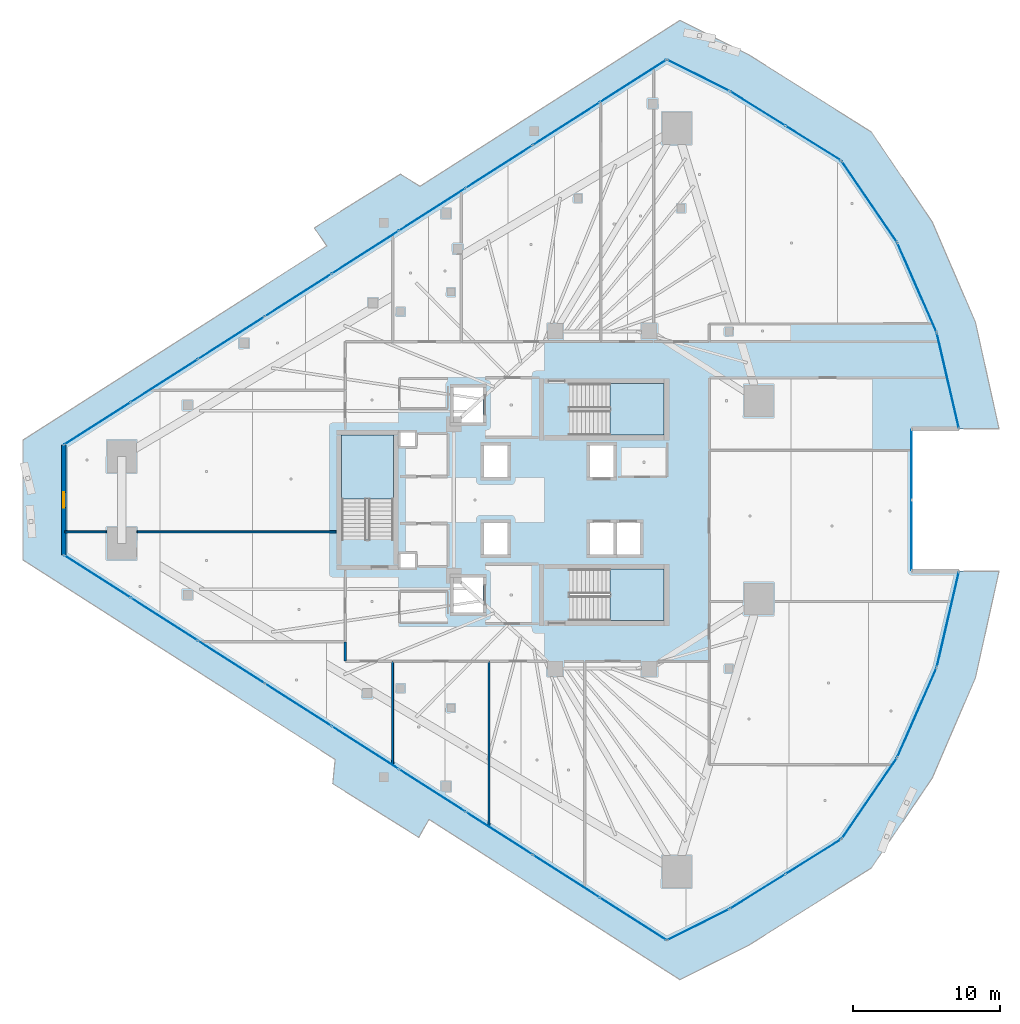
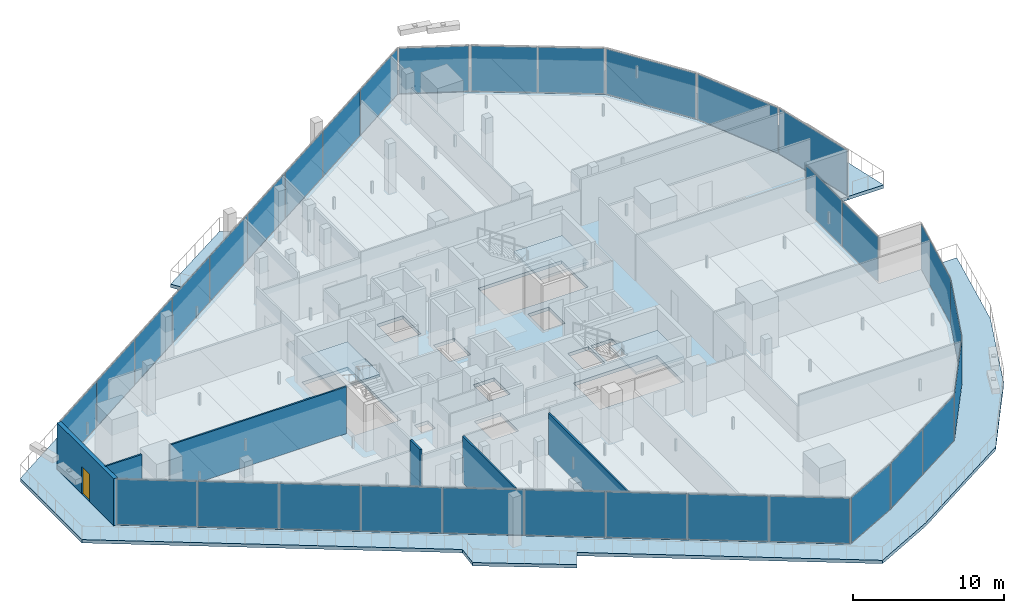
# One storey, part 24 of 39: 32 plates, 6 walls, 5 slabs, 1 door, 1 opening, 16 elements without a shape of their own.
"""IFC4 building model written with IfcOpenShell, lengths in metres."""

from ifc_helpers import new_model, si_unit, direction, frame, frame_2d, origin, origin_2d, place, context, subcontext, project, spatial, polyline, rectangle, outline, extrude, material, layer, layer_set, type_object, element, fill, aggregate, save


model = new_model("IFC4")

# Units and contexts
model_context = context("Model", 3, precision=1e-05, world=origin(), true_north=direction((0.0, 1.0)))
body_context = subcontext(model_context, "Body", "Model", "MODEL_VIEW")
ifc_project = project(units=[si_unit("LENGTHUNIT", "METRE"), si_unit("AREAUNIT", "SQUARE_METRE"), si_unit("VOLUMEUNIT", "CUBIC_METRE"), si_unit("PLANEANGLEUNIT", "RADIAN"), si_unit("MASSUNIT", "GRAM", prefix="KILO")], contexts=[model_context])

# Site, building, storey
site_placement = place(None, origin())
site = spatial("IfcSite", under=ifc_project, at=site_placement, CompositionType="ELEMENT")
building_placement = place(site_placement, origin())
building = spatial("IfcBuilding", under=site, at=building_placement, Name="Qorvath Tower", CompositionType="ELEMENT")
storey_placement = place(building_placement, frame((0.0, 0.0, 142.199951171875)))
storey = spatial("IfcBuildingStorey", under=building, at=storey_placement, Name="L32", CompositionType="ELEMENT", Elevation=142.199951171875)

# Curtain wall, plates
ifc_material_1 = material(Name="Anodised aluminium and triple low-E glass", Category="aluminium")
ifc_layer_1 = layer(ifc_material_1, 0.179931640625)
ifc_layer_set_1 = layer_set([ifc_layer_1], Name="CW-SYS-3")
curtain_wall_type = type_object("IfcCurtainWallType", Name="CW-SYS-3", PredefinedType="NOTDEFINED", material=ifc_layer_set_1)
curtain_wall_1_placement = place(storey_placement, origin())
curtain_wall_1 = element("IfcCurtainWall", 1, at=curtain_wall_1_placement, inside=storey, type_object=curtain_wall_type, Name="Curtain Wall CW-3 CW-T-L32-2.1", PredefinedType="NOTDEFINED")
ifc_material_2 = material(Name="Low-E triple insulated glass", Category="glass")
ifc_layer_2 = layer(ifc_material_2, 0.031982421875)
ifc_layer_set_2 = layer_set([ifc_layer_2], Name="CWP-GLZ-32")
plate_type = type_object("IfcPlateType", Name="CWP-GLZ-32", PredefinedType="CURTAIN_PANEL", material=ifc_layer_set_2)
plate_1_placement = place(storey_placement, frame((-54.696044921875, -5.20263671875, 0.065185546875), z_axis=(0.0, 0.0, 1.0), x_axis=(0.842604438967, -0.53853296968, 0.0)))
plate_1 = element("IfcPlate", 2, at=plate_1_placement, type_object=plate_type, Name="CW-3 panel 1.1", PredefinedType="CURTAIN_PANEL", context=body_context, shape_type="SweptSolid", body=[
    extrude(rectangle(XDim=5.303466796875, YDim=0.031982421875, at=origin_2d()), origin(), (0.0, 0.0, 1.0), 3.64990234375),
])
plate_2_placement = place(storey_placement, frame((-50.158935546875, -8.102294921875, 0.065185546875), z_axis=(0.0, 0.0, 1.0), x_axis=(0.842604438967, -0.53853296968, 0.0)))
plate_2 = element("IfcPlate", 3, at=plate_2_placement, type_object=plate_type, Name="CW-3 panel 2.1", PredefinedType="CURTAIN_PANEL", context=body_context, shape_type="SweptSolid", body=[
    extrude(rectangle(XDim=5.3359375, YDim=0.031982421875, at=origin_2d()), origin(), (0.0, 0.0, 1.0), 3.64990234375),
])
plate_3_placement = place(storey_placement, frame((-45.608154296875, -11.010986328125, 0.065185546875), z_axis=(0.0, 0.0, 1.0), x_axis=(0.842604438967, -0.53853296968, 0.0)))
plate_3 = element("IfcPlate", 4, at=plate_3_placement, type_object=plate_type, Name="CW-3 panel 3.1", PredefinedType="CURTAIN_PANEL", context=body_context, shape_type="SweptSolid", body=[
    extrude(rectangle(XDim=5.3359375, YDim=0.031982421875, at=origin_2d()), origin(), (0.0, 0.0, 1.0), 3.64990234375),
])
plate_4_placement = place(storey_placement, frame((-41.057373046875, -13.91943359375, 0.065185546875), z_axis=(0.0, 0.0, 1.0), x_axis=(0.842604438967, -0.53853296968, 0.0)))
plate_4 = element("IfcPlate", 5, at=plate_4_placement, type_object=plate_type, Name="CW-3 panel 4.1", PredefinedType="CURTAIN_PANEL", context=body_context, shape_type="SweptSolid", body=[
    extrude(rectangle(XDim=5.3359375, YDim=0.031982421875, at=origin_2d()), origin(), (0.0, 0.0, 1.0), 3.64990234375),
])
plate_5_placement = place(storey_placement, frame((-36.50634765625, -16.827880859375, 0.065185546875), z_axis=(0.0, 0.0, 1.0), x_axis=(0.842604438967, -0.53853296968, 0.0)))
plate_5 = element("IfcPlate", 6, at=plate_5_placement, type_object=plate_type, Name="CW-3 panel 5.1", PredefinedType="CURTAIN_PANEL", context=body_context, shape_type="SweptSolid", body=[
    extrude(rectangle(XDim=5.3359375, YDim=0.031982421875, at=origin_2d()), origin(), (0.0, 0.0, 1.0), 3.64990234375),
])
plate_6_placement = place(storey_placement, frame((-31.95556640625, -19.736572265625, 0.065185546875), z_axis=(0.0, 0.0, 1.0), x_axis=(0.842604438967, -0.53853296968, 0.0)))
plate_6 = element("IfcPlate", 7, at=plate_6_placement, type_object=plate_type, Name="CW-3 panel 6.1", PredefinedType="CURTAIN_PANEL", context=body_context, shape_type="SweptSolid", body=[
    extrude(rectangle(XDim=5.3359375, YDim=0.031982421875, at=origin_2d()), origin(), (0.0, 0.0, 1.0), 3.64990234375),
])
plate_7_placement = place(storey_placement, frame((-27.40478515625, -22.64501953125, 0.065185546875), z_axis=(0.0, 0.0, 1.0), x_axis=(0.842604438967, -0.53853296968, 0.0)))
plate_7 = element("IfcPlate", 8, at=plate_7_placement, type_object=plate_type, Name="CW-3 panel 7.1", PredefinedType="CURTAIN_PANEL", context=body_context, shape_type="SweptSolid", body=[
    extrude(rectangle(XDim=5.3359375, YDim=0.031982421875, at=origin_2d()), origin(), (0.0, 0.0, 1.0), 3.64990234375),
])
plate_8_placement = place(storey_placement, frame((-22.85400390625, -25.5537109375, 0.065185546875), z_axis=(0.0, 0.0, 1.0), x_axis=(0.842604438967, -0.53853296968, 0.0)))
plate_8 = element("IfcPlate", 9, at=plate_8_placement, type_object=plate_type, Name="CW-3 panel 8.1", PredefinedType="CURTAIN_PANEL", context=body_context, shape_type="SweptSolid", body=[
    extrude(rectangle(XDim=5.3359375, YDim=0.031982421875, at=origin_2d()), origin(), (0.0, 0.0, 1.0), 3.64990234375),
])
plate_9_placement = place(storey_placement, frame((-18.31689453125, -28.453369140625, 0.065185546875), z_axis=(0.0, 0.0, 1.0), x_axis=(0.842604438967, -0.53853296968, 0.0)))
plate_9 = element("IfcPlate", 10, at=plate_9_placement, type_object=plate_type, Name="CW-3 panel 9.1", PredefinedType="CURTAIN_PANEL", context=body_context, shape_type="SweptSolid", body=[
    extrude(rectangle(XDim=5.303466796875, YDim=0.031982421875, at=origin_2d()), origin(), (0.0, 0.0, 1.0), 3.64990234375),
])
aggregate(curtain_wall_1, [plate_1, plate_2, plate_3, plate_4, plate_5, plate_6, plate_7, plate_8, plate_9])

# Curtain wall, plate
curtain_wall_2_placement = place(storey_placement, origin())
curtain_wall_2 = element("IfcCurtainWall", 11, at=curtain_wall_2_placement, inside=storey, type_object=curtain_wall_type, Name="Curtain Wall CW-3 CW-T-L32-3.1", PredefinedType="NOTDEFINED")
plate_10_placement = place(storey_placement, frame((-13.890869140625, -28.84814453125, 0.065185546875), z_axis=(0.0, 0.0, 1.0), x_axis=(0.89444811817, 0.447171738712, 0.0)))
plate_10 = element("IfcPlate", 12, at=plate_10_placement, type_object=plate_type, Name="CW-3 panel 1.1", PredefinedType="CURTAIN_PANEL", context=body_context, shape_type="SweptSolid", body=[
    extrude(rectangle(XDim=4.648193359375, YDim=0.031982421875, at=origin_2d()), origin(), (0.0, 0.0, 1.0), 3.64990234375),
])
aggregate(curtain_wall_2, [plate_10])

# Curtain wall, plates
curtain_wall_3_placement = place(storey_placement, origin())
curtain_wall_3 = element("IfcCurtainWall", 13, at=curtain_wall_3_placement, inside=storey, type_object=curtain_wall_type, Name="Curtain Wall CW-3 CW-T-L32-4.1", PredefinedType="NOTDEFINED")
plate_11_placement = place(storey_placement, frame((-9.841796875, -26.58642578125, 0.065185546875), z_axis=(0.0, 0.0, 1.0), x_axis=(0.848346461563, 0.529441480387, 0.0)))
plate_11 = element("IfcPlate", 14, at=plate_11_placement, type_object=plate_type, Name="CW-3 panel 1.1", PredefinedType="CURTAIN_PANEL", context=body_context, shape_type="SweptSolid", body=[
    extrude(rectangle(XDim=4.3779296875, YDim=0.031982421875, at=origin_2d()), origin(), (0.0, 0.0, 1.0), 3.64990234375),
])
plate_12_placement = place(storey_placement, frame((-6.072509765625, -24.234130859375, 0.065185546875), z_axis=(0.0, 0.0, 1.0), x_axis=(0.848346461563, 0.529441480387, 0.0)))
plate_12 = element("IfcPlate", 15, at=plate_12_placement, type_object=plate_type, Name="CW-3 panel 2.1", PredefinedType="CURTAIN_PANEL", context=body_context, shape_type="SweptSolid", body=[
    extrude(rectangle(XDim=4.3779296875, YDim=0.031982421875, at=origin_2d()), origin(), (0.0, 0.0, 1.0), 3.64990234375),
])
aggregate(curtain_wall_3, [plate_11, plate_12])

# Curtain wall, plate
curtain_wall_4_placement = place(storey_placement, origin())
curtain_wall_4 = element("IfcCurtainWall", 16, at=curtain_wall_4_placement, inside=storey, type_object=curtain_wall_type, Name="Curtain Wall CW-3 CW-T-L32-5.1", PredefinedType="NOTDEFINED")
plate_13_placement = place(storey_placement, frame((-2.269287109375, -20.273681640625, 0.065185546875), z_axis=(0.0, 0.0, 1.0), x_axis=(0.564241013294, 0.825610125251, 0.0)))
plate_13 = element("IfcPlate", 17, at=plate_13_placement, type_object=plate_type, Name="CW-3 panel 1.1", PredefinedType="CURTAIN_PANEL", context=body_context, shape_type="SweptSolid", body=[
    extrude(rectangle(XDim=6.5732421875, YDim=0.031982421875, at=origin_2d()), origin(), (0.0, 0.0, 1.0), 3.64990234375),
])
aggregate(curtain_wall_4, [plate_13])

curtain_wall_5_placement = place(storey_placement, origin())
curtain_wall_5 = element("IfcCurtainWall", 18, at=curtain_wall_5_placement, inside=storey, type_object=curtain_wall_type, Name="Curtain Wall CW-3 CW-T-L32-6.1", PredefinedType="NOTDEFINED")
plate_14_placement = place(storey_placement, frame((0.968505859375, -14.437744140625, 0.065185546875), z_axis=(0.0, 0.0, 1.0), x_axis=(0.401853994762, 0.915703754985, 0.0)))
plate_14 = element("IfcPlate", 19, at=plate_14_placement, type_object=plate_type, Name="CW-3 panel 1.1", PredefinedType="CURTAIN_PANEL", context=body_context, shape_type="SweptSolid", body=[
    extrude(rectangle(XDim=6.572998046875, YDim=0.031982421875, at=origin_2d()), origin(), (0.0, 0.0, 1.0), 3.64990234375),
])
aggregate(curtain_wall_5, [plate_14])

curtain_wall_6_placement = place(storey_placement, origin())
curtain_wall_6 = element("IfcCurtainWall", 20, at=curtain_wall_6_placement, inside=storey, type_object=curtain_wall_type, Name="Curtain Wall CW-3 CW-T-L32-7.1", PredefinedType="NOTDEFINED")
plate_15_placement = place(storey_placement, frame((3.0712890625, -8.103515625, 0.065185546875), z_axis=(0.0, 0.0, 1.0), x_axis=(0.225526270485, 0.974237086813, 0.0)))
plate_15 = element("IfcPlate", 21, at=plate_15_placement, type_object=plate_type, Name="CW-3 panel 1.1", PredefinedType="CURTAIN_PANEL", context=body_context, shape_type="SweptSolid", body=[
    extrude(rectangle(XDim=6.572998046875, YDim=0.031982421875, at=origin_2d()), origin(), (0.0, 0.0, 1.0), 3.64990234375),
])
aggregate(curtain_wall_6, [plate_15])

# Curtain wall, plates
curtain_wall_7_placement = place(storey_placement, origin())
curtain_wall_7 = element("IfcCurtainWall", 22, at=curtain_wall_7_placement, inside=storey, type_object=curtain_wall_type, Name="Curtain Wall CW-3 CW-T-L32-9.1", PredefinedType="NOTDEFINED")
plate_16_placement = place(storey_placement, frame((0.6015625, -2.40283203125, 0.065185546875), z_axis=(0.0, 0.0, 1.0), x_axis=(0.0, 1.0, 0.0)))
plate_16 = element("IfcPlate", 23, at=plate_16_placement, type_object=plate_type, Name="CW-3 panel 1.1", PredefinedType="CURTAIN_PANEL", context=body_context, shape_type="SweptSolid", body=[
    extrude(rectangle(XDim=4.740966796875, YDim=0.031982421875, at=origin_2d()), origin(), (0.0, 0.0, 1.0), 3.64990234375),
])
plate_17_placement = place(storey_placement, frame((0.6015625, 2.40283203125, 0.065185546875), z_axis=(0.0, 0.0, 1.0), x_axis=(0.0, 1.0, 0.0)))
plate_17 = element("IfcPlate", 24, at=plate_17_placement, type_object=plate_type, Name="CW-3 panel 2.1", PredefinedType="CURTAIN_PANEL", context=body_context, shape_type="SweptSolid", body=[
    extrude(rectangle(XDim=4.740966796875, YDim=0.031982421875, at=origin_2d()), origin(), (0.0, 0.0, 1.0), 3.64990234375),
])
aggregate(curtain_wall_7, [plate_16, plate_17])

# Curtain wall, plate
curtain_wall_8_placement = place(storey_placement, origin())
curtain_wall_8 = element("IfcCurtainWall", 25, at=curtain_wall_8_placement, inside=storey, type_object=curtain_wall_type, Name="Curtain Wall CW-3 CW-T-L32-11.1", PredefinedType="NOTDEFINED")
plate_18_placement = place(storey_placement, frame((3.0712890625, 8.103515625, 0.065185546875), z_axis=(0.0, 0.0, 1.0), x_axis=(-0.225526270485, 0.974237086813, 0.0)))
plate_18 = element("IfcPlate", 26, at=plate_18_placement, type_object=plate_type, Name="CW-3 panel 1.1", PredefinedType="CURTAIN_PANEL", context=body_context, shape_type="SweptSolid", body=[
    extrude(rectangle(XDim=6.572998046875, YDim=0.031982421875, at=origin_2d()), origin(), (0.0, 0.0, 1.0), 3.64990234375),
])
aggregate(curtain_wall_8, [plate_18])

curtain_wall_9_placement = place(storey_placement, origin())
curtain_wall_9 = element("IfcCurtainWall", 27, at=curtain_wall_9_placement, inside=storey, type_object=curtain_wall_type, Name="Curtain Wall CW-3 CW-T-L32-12.1", PredefinedType="NOTDEFINED")
plate_19_placement = place(storey_placement, frame((0.968505859375, 14.437744140625, 0.065185546875), z_axis=(0.0, 0.0, 1.0), x_axis=(-0.401853994762, 0.915703754985, 0.0)))
plate_19 = element("IfcPlate", 28, at=plate_19_placement, type_object=plate_type, Name="CW-3 panel 1.1", PredefinedType="CURTAIN_PANEL", context=body_context, shape_type="SweptSolid", body=[
    extrude(rectangle(XDim=6.572998046875, YDim=0.031982421875, at=origin_2d()), origin(), (0.0, 0.0, 1.0), 3.64990234375),
])
aggregate(curtain_wall_9, [plate_19])

curtain_wall_10_placement = place(storey_placement, origin())
curtain_wall_10 = element("IfcCurtainWall", 29, at=curtain_wall_10_placement, inside=storey, type_object=curtain_wall_type, Name="Curtain Wall CW-3 CW-T-L32-13.1", PredefinedType="NOTDEFINED")
plate_20_placement = place(storey_placement, frame((-2.269287109375, 20.273681640625, 0.065185546875), z_axis=(0.0, 0.0, 1.0), x_axis=(-0.564241013294, 0.825610125251, 0.0)))
plate_20 = element("IfcPlate", 30, at=plate_20_placement, type_object=plate_type, Name="CW-3 panel 1.1", PredefinedType="CURTAIN_PANEL", context=body_context, shape_type="SweptSolid", body=[
    extrude(rectangle(XDim=6.5732421875, YDim=0.031982421875, at=origin_2d()), origin(), (0.0, 0.0, 1.0), 3.64990234375),
])
aggregate(curtain_wall_10, [plate_20])

# Curtain wall, plates
curtain_wall_11_placement = place(storey_placement, origin())
curtain_wall_11 = element("IfcCurtainWall", 31, at=curtain_wall_11_placement, inside=storey, type_object=curtain_wall_type, Name="Curtain Wall CW-3 CW-T-L32-14.1", PredefinedType="NOTDEFINED")
plate_21_placement = place(storey_placement, frame((-6.072509765625, 24.234130859375, 0.065185546875), z_axis=(0.0, 0.0, 1.0), x_axis=(-0.848346461563, 0.529441480387, 0.0)))
plate_21 = element("IfcPlate", 32, at=plate_21_placement, type_object=plate_type, Name="CW-3 panel 1.1", PredefinedType="CURTAIN_PANEL", context=body_context, shape_type="SweptSolid", body=[
    extrude(rectangle(XDim=4.3779296875, YDim=0.031982421875, at=origin_2d()), origin(), (0.0, 0.0, 1.0), 3.64990234375),
])
plate_22_placement = place(storey_placement, frame((-9.841796875, 26.58642578125, 0.065185546875), z_axis=(0.0, 0.0, 1.0), x_axis=(-0.848346461563, 0.529441480387, 0.0)))
plate_22 = element("IfcPlate", 33, at=plate_22_placement, type_object=plate_type, Name="CW-3 panel 2.1", PredefinedType="CURTAIN_PANEL", context=body_context, shape_type="SweptSolid", body=[
    extrude(rectangle(XDim=4.3779296875, YDim=0.031982421875, at=origin_2d()), origin(), (0.0, 0.0, 1.0), 3.64990234375),
])
aggregate(curtain_wall_11, [plate_21, plate_22])

# Curtain wall, plate
curtain_wall_12_placement = place(storey_placement, origin())
curtain_wall_12 = element("IfcCurtainWall", 34, at=curtain_wall_12_placement, inside=storey, type_object=curtain_wall_type, Name="Curtain Wall CW-3 CW-T-L32-15.1", PredefinedType="NOTDEFINED")
plate_23_placement = place(storey_placement, frame((-13.890869140625, 28.84814453125, 0.065185546875), z_axis=(0.0, 0.0, 1.0), x_axis=(-0.89444811817, 0.447171738712, 0.0)))
plate_23 = element("IfcPlate", 35, at=plate_23_placement, type_object=plate_type, Name="CW-3 panel 1.1", PredefinedType="CURTAIN_PANEL", context=body_context, shape_type="SweptSolid", body=[
    extrude(rectangle(XDim=4.648193359375, YDim=0.031982421875, at=origin_2d()), origin(), (0.0, 0.0, 1.0), 3.64990234375),
])
aggregate(curtain_wall_12, [plate_23])

# Curtain wall, plates
curtain_wall_13_placement = place(storey_placement, origin())
curtain_wall_13 = element("IfcCurtainWall", 36, at=curtain_wall_13_placement, inside=storey, type_object=curtain_wall_type, Name="Curtain Wall CW-3 CW-T-L32-16.1", PredefinedType="NOTDEFINED")
plate_24_placement = place(storey_placement, frame((-18.31689453125, 28.453369140625, 0.065185546875), z_axis=(0.0, 0.0, 1.0), x_axis=(-0.842604438967, -0.53853296968, 0.0)))
plate_24 = element("IfcPlate", 37, at=plate_24_placement, type_object=plate_type, Name="CW-3 panel 1.1", PredefinedType="CURTAIN_PANEL", context=body_context, shape_type="SweptSolid", body=[
    extrude(rectangle(XDim=5.303466796875, YDim=0.031982421875, at=origin_2d()), origin(), (0.0, 0.0, 1.0), 3.64990234375),
])
plate_25_placement = place(storey_placement, frame((-22.85400390625, 25.5537109375, 0.065185546875), z_axis=(0.0, 0.0, 1.0), x_axis=(-0.842604438967, -0.53853296968, 0.0)))
plate_25 = element("IfcPlate", 38, at=plate_25_placement, type_object=plate_type, Name="CW-3 panel 2.1", PredefinedType="CURTAIN_PANEL", context=body_context, shape_type="SweptSolid", body=[
    extrude(rectangle(XDim=5.3359375, YDim=0.031982421875, at=origin_2d()), origin(), (0.0, 0.0, 1.0), 3.64990234375),
])
plate_26_placement = place(storey_placement, frame((-27.40478515625, 22.64501953125, 0.065185546875), z_axis=(0.0, 0.0, 1.0), x_axis=(-0.842604438967, -0.53853296968, 0.0)))
plate_26 = element("IfcPlate", 39, at=plate_26_placement, type_object=plate_type, Name="CW-3 panel 3.1", PredefinedType="CURTAIN_PANEL", context=body_context, shape_type="SweptSolid", body=[
    extrude(rectangle(XDim=5.3359375, YDim=0.031982421875, at=origin_2d()), origin(), (0.0, 0.0, 1.0), 3.64990234375),
])
plate_27_placement = place(storey_placement, frame((-31.95556640625, 19.736572265625, 0.065185546875), z_axis=(0.0, 0.0, 1.0), x_axis=(-0.842604438967, -0.53853296968, 0.0)))
plate_27 = element("IfcPlate", 40, at=plate_27_placement, type_object=plate_type, Name="CW-3 panel 4.1", PredefinedType="CURTAIN_PANEL", context=body_context, shape_type="SweptSolid", body=[
    extrude(rectangle(XDim=5.3359375, YDim=0.031982421875, at=origin_2d()), origin(), (0.0, 0.0, 1.0), 3.64990234375),
])
plate_28_placement = place(storey_placement, frame((-36.50634765625, 16.827880859375, 0.065185546875), z_axis=(0.0, 0.0, 1.0), x_axis=(-0.842604438967, -0.53853296968, 0.0)))
plate_28 = element("IfcPlate", 41, at=plate_28_placement, type_object=plate_type, Name="CW-3 panel 5.1", PredefinedType="CURTAIN_PANEL", context=body_context, shape_type="SweptSolid", body=[
    extrude(rectangle(XDim=5.3359375, YDim=0.031982421875, at=origin_2d()), origin(), (0.0, 0.0, 1.0), 3.64990234375),
])
plate_29_placement = place(storey_placement, frame((-41.057373046875, 13.91943359375, 0.065185546875), z_axis=(0.0, 0.0, 1.0), x_axis=(-0.842604438967, -0.53853296968, 0.0)))
plate_29 = element("IfcPlate", 42, at=plate_29_placement, type_object=plate_type, Name="CW-3 panel 6.1", PredefinedType="CURTAIN_PANEL", context=body_context, shape_type="SweptSolid", body=[
    extrude(rectangle(XDim=5.3359375, YDim=0.031982421875, at=origin_2d()), origin(), (0.0, 0.0, 1.0), 3.64990234375),
])
plate_30_placement = place(storey_placement, frame((-45.608154296875, 11.010986328125, 0.065185546875), z_axis=(0.0, 0.0, 1.0), x_axis=(-0.842604438967, -0.53853296968, 0.0)))
plate_30 = element("IfcPlate", 43, at=plate_30_placement, type_object=plate_type, Name="CW-3 panel 7.1", PredefinedType="CURTAIN_PANEL", context=body_context, shape_type="SweptSolid", body=[
    extrude(rectangle(XDim=5.3359375, YDim=0.031982421875, at=origin_2d()), origin(), (0.0, 0.0, 1.0), 3.64990234375),
])
plate_31_placement = place(storey_placement, frame((-50.158935546875, 8.102294921875, 0.065185546875), z_axis=(0.0, 0.0, 1.0), x_axis=(-0.842604438967, -0.53853296968, 0.0)))
plate_31 = element("IfcPlate", 44, at=plate_31_placement, type_object=plate_type, Name="CW-3 panel 8.1", PredefinedType="CURTAIN_PANEL", context=body_context, shape_type="SweptSolid", body=[
    extrude(rectangle(XDim=5.3359375, YDim=0.031982421875, at=origin_2d()), origin(), (0.0, 0.0, 1.0), 3.64990234375),
])
plate_32_placement = place(storey_placement, frame((-54.696044921875, 5.20263671875, 0.065185546875), z_axis=(0.0, 0.0, 1.0), x_axis=(-0.842604438967, -0.53853296968, 0.0)))
plate_32 = element("IfcPlate", 45, at=plate_32_placement, type_object=plate_type, Name="CW-3 panel 9.1", PredefinedType="CURTAIN_PANEL", context=body_context, shape_type="SweptSolid", body=[
    extrude(rectangle(XDim=5.303466796875, YDim=0.031982421875, at=origin_2d()), origin(), (0.0, 0.0, 1.0), 3.64990234375),
])
aggregate(curtain_wall_13, [plate_24, plate_25, plate_26, plate_27, plate_28, plate_29, plate_30, plate_31, plate_32])

# Stair, slab
ifc_material_3 = material(Name="Concrete C50/60", Category="concrete")
stair_type = type_object("IfcStairType", Name="ST-H405", PredefinedType="HALF_TURN_STAIR", material=ifc_material_3)
stair_1_placement = place(storey_placement, origin())
stair_1 = element("IfcStair", 46, at=stair_1_placement, inside=storey, type_object=stair_type, Name="L32 Tower Exit Stair 1", PredefinedType="HALF_TURN_STAIR")
ifc_material_4 = material(Name="Concrete C50/60", Category="concrete")
ifc_layer_3 = layer(ifc_material_4, 0.199951171875)
ifc_layer_set_3 = layer_set([ifc_layer_3], Name="SL-LND-200")
slab_type_1 = type_object("IfcSlabType", Name="SL-LND-200", PredefinedType="LANDING", material=ifc_layer_set_3)
slab_1_placement = place(storey_placement, frame((0.0, 0.0, 1.824951171875)))
slab_1 = element("IfcSlab", 47, at=slab_1_placement, type_object=slab_type_1, Name="TS1 landing 1", PredefinedType="LANDING", context=body_context, shape_type="SweptSolid", body=[
    extrude(outline(polyline([(-19.8701171875, 4.39990234375), (-16.199951171875, 4.39990234375), (-16.199951171875, 7.909912109375), (-19.8701171875, 7.909912109375), (-19.8701171875, 4.39990234375)])), origin(), (0.0, 0.0, 1.0), 0.2001953125),
])
aggregate(stair_1, [slab_1])

stair_2_placement = place(storey_placement, origin())
stair_2 = element("IfcStair", 48, at=stair_2_placement, inside=storey, type_object=stair_type, Name="L32 Tower Exit Stair 2", PredefinedType="HALF_TURN_STAIR")
slab_2_placement = place(storey_placement, frame((0.0, 0.0, 1.824951171875)))
slab_2 = element("IfcSlab", 49, at=slab_2_placement, type_object=slab_type_1, Name="TS2 landing 1", PredefinedType="LANDING", context=body_context, shape_type="SweptSolid", body=[
    extrude(outline(polyline([(-19.8701171875, -8.199951171875), (-16.199951171875, -8.199951171875), (-16.199951171875, -4.68994140625), (-19.8701171875, -4.68994140625), (-19.8701171875, -8.199951171875)])), origin(), (0.0, 0.0, 1.0), 0.2001953125),
])
aggregate(stair_2, [slab_2])

stair_3_placement = place(storey_placement, origin())
stair_3 = element("IfcStair", 50, at=stair_3_placement, inside=storey, type_object=stair_type, Name="L32 Tower Exit Stair 3", PredefinedType="HALF_TURN_STAIR")
slab_3_placement = place(storey_placement, frame((0.0, 0.0, 1.824951171875)))
slab_3 = element("IfcSlab", 51, at=slab_3_placement, type_object=slab_type_1, Name="TS3 landing 1", PredefinedType="LANDING", context=body_context, shape_type="SweptSolid", body=[
    extrude(outline(polyline([(-34.60009765625, 0.080078125), (-34.60009765625, 4.39990234375), (-38.110107421875, 4.39990234375), (-38.110107421875, 0.080078125), (-34.60009765625, 0.080078125)])), origin(), (0.0, 0.0, 1.0), 0.2001953125),
])
aggregate(stair_3, [slab_3])

# Slabs
ifc_material_5 = material(Name="Precast concrete C45/55", Category="concrete")
ifc_layer_4 = layer(ifc_material_5, 0.27001953125)
ifc_layer_set_4 = layer_set([ifc_layer_4], Name="SL-LOG-270")
slab_type_2 = type_object("IfcSlabType", Name="SL-LOG-270", PredefinedType="FLOOR", material=ifc_layer_set_4)
slab_4_placement = place(storey_placement, frame((0.0, 0.0, -0.27001953125)))
element("IfcSlab", 52, at=slab_4_placement, inside=storey, type_object=slab_type_2, Name="Tower L32 Perimeter Loggia and Terrace Slab", PredefinedType="FLOOR", context=body_context, shape_type="SweptSolid", body=[
    extrude(outline(polyline([(-32.87255859375, -22.91845703125), (-32.176513671875, -21.6953125), (-15.138427734375, -32.5849609375), (-10.4833984375, -30.25732421875), (-2.14306640625, -25.011962890625), (2.01220703125, -18.877685546875), (4.9423828125, -12.072509765625), (6.54345703125, -4.83837890625), (3.8271484375, -4.83837890625), (2.3154296875, -11.36865234375), (-0.378173828125, -17.506591796875), (-4.160400390625, -23.040771484375), (-11.75390625, -27.77978515625), (-16.02783203125, -29.91650390625), (-56.985107421875, -3.739501953125), (-56.985107421875, 3.739501953125), (-16.02783203125, 29.91650390625), (-11.75390625, 27.77978515625), (-4.160400390625, 23.040771484375), (-0.378173828125, 17.506591796875), (2.3154296875, 11.36865234375), (3.8271484375, 4.83837890625), (6.54345703125, 4.83837890625), (4.9423828125, 12.072509765625), (2.01220703125, 18.877685546875), (-2.14306640625, 25.011962890625), (-10.4833984375, 30.25732421875), (-15.138427734375, 32.5849609375), (-32.781494140625, 21.30859375), (-34.123779296875, 22.13671875), (-39.965087890625, 18.48681640625), (-39.123291015625, 17.25537109375), (-59.74853515625, 4.072998046875), (-59.74853515625, -4.072998046875), (-38.55029296875, -17.62158203125), (-38.7138671875, -19.268310546875), (-32.87255859375, -22.91845703125)])), origin(), (0.0, 0.0, 1.0), 0.27001953125),
])
ifc_material_6 = material(Name="Concrete C45/55", Category="concrete")
ifc_layer_5 = layer(ifc_material_6, 0.27001953125)
ifc_layer_set_5 = layer_set([ifc_layer_5], Name="SL-MID-270")
slab_type_3 = type_object("IfcSlabType", Name="SL-MID-270", PredefinedType="FLOOR", material=ifc_layer_set_5)
slab_5_placement = place(storey_placement, frame((0.0, 0.0, -0.27001953125)))
element("IfcSlab", 53, at=slab_5_placement, inside=storey, type_object=slab_type_3, Name="Tower L32 Interior Floor Slab", PredefinedType="FLOOR", context=body_context, shape_type="SweptSolid", body=[
    extrude(outline(polyline([(-56.985107421875, 3.739501953125), (-56.985107421875, -3.739501953125), (-16.02783203125, -29.91650390625), (-11.75390625, -27.77978515625), (-4.160400390625, -23.040771484375), (-0.378173828125, -17.506591796875), (2.3154296875, -11.36865234375), (3.8271484375, -4.83837890625), (0.6015625, -4.83837890625), (0.6015625, 4.83837890625), (3.8271484375, 4.83837890625), (2.3154296875, 11.36865234375), (-0.378173828125, 17.506591796875), (-4.160400390625, 23.040771484375), (-11.75390625, 27.77978515625), (-16.02783203125, 29.91650390625), (-56.985107421875, 3.739501953125)]), holes=[polyline([(-16.2451171875, -8.199951171875), (-22.625, -8.199951171875), (-22.625, -4.68994140625), (-16.2451171875, -4.68994140625), (-16.2451171875, -8.199951171875)]), polyline([(-22.625, 4.39990234375), (-22.625, 7.909912109375), (-16.2451171875, 7.909912109375), (-16.2451171875, 4.39990234375), (-22.625, 4.39990234375)]), polyline([(-17.85009765625, -3.699951171875), (-19.449951171875, -3.699951171875), (-19.449951171875, -1.550048828125), (-17.85009765625, -1.550048828125), (-17.85009765625, -3.699951171875)]), polyline([(-21.25, -3.699951171875), (-21.25, -1.550048828125), (-19.64990234375, -1.550048828125), (-19.64990234375, -3.699951171875), (-21.25, -3.699951171875)]), polyline([(-21.25, 1.550048828125), (-21.25, 3.699951171875), (-19.64990234375, 3.699951171875), (-19.64990234375, 1.550048828125), (-21.25, 1.550048828125)]), polyline([(-28.449951171875, -3.699951171875), (-28.449951171875, -1.550048828125), (-26.85009765625, -1.550048828125), (-26.85009765625, -3.699951171875), (-28.449951171875, -3.699951171875)]), polyline([(-26.85009765625, 1.550048828125), (-28.449951171875, 1.550048828125), (-28.449951171875, 3.699951171875), (-26.85009765625, 3.699951171875), (-26.85009765625, 1.550048828125)]), polyline([(-28.5, -7.64990234375), (-30.5, -7.64990234375), (-30.5, -5.25), (-28.5, -5.25), (-28.5, -7.64990234375)]), polyline([(-30.5, 5.25), (-30.5, 7.64990234375), (-28.5, 7.64990234375), (-28.5, 5.25), (-30.5, 5.25)]), polyline([(-34.14990234375, -4.6201171875), (-34.14990234375, -3.64990234375), (-33.10009765625, -3.64990234375), (-33.10009765625, -4.6201171875), (-34.14990234375, -4.6201171875)]), polyline([(-34.14990234375, 3.64990234375), (-34.14990234375, 4.6201171875), (-33.10009765625, 4.6201171875), (-33.10009765625, 3.64990234375), (-34.14990234375, 3.64990234375)]), polyline([(-34.60009765625, -2.675048828125), (-38.110107421875, -2.675048828125), (-38.110107421875, 4.35498046875), (-34.60009765625, 4.35498046875), (-34.60009765625, -2.675048828125)])]), origin(), (0.0, 0.0, 1.0), 0.27001953125),
])

# Walls
ifc_material_7 = material(Name="Double acoustic gypsum board on steel studs", Category="steel")
ifc_layer_6 = layer(ifc_material_7, 0.159912109375)
ifc_layer_set_6 = layer_set([ifc_layer_6], Name="IW-ACOUSTIC-160")
wall_type_1 = type_object("IfcWallType", Name="IW-ACOUSTIC-160", PredefinedType="PARTITIONING", material=ifc_layer_set_6)
wall_1_placement = place(storey_placement, frame((-37.85791015625, -10.93310546875, 0.0), z_axis=(0.0, 0.0, 1.0), x_axis=(0.0, 1.0, 0.0)))
element("IfcWall", 54, at=wall_1_placement, inside=storey, type_object=wall_type_1, Name="Interior Partition IW-T1-L32-052", PredefinedType="PARTITIONING", context=body_context, shape_type="SweptSolid", body=[
    extrude(rectangle(XDim=1.28466796875, YDim=0.159912109375, at=frame_2d((0.642333984375, 0.0))), origin(), (0.0, 0.0, 1.0), 3.780029296875),
])
ifc_material_8 = material(Name="Gypsum board on metal studs with mineral wool", Category="gypsum")
ifc_layer_7 = layer(ifc_material_8, 0.125)
ifc_layer_set_7 = layer_set([ifc_layer_7], Name="IW-PART-125")
wall_type_2 = type_object("IfcWallType", Name="IW-PART-125", PredefinedType="PARTITIONING", material=ifc_layer_set_7)
wall_2_placement = place(storey_placement, frame((-34.64990234375, -10.98291015625, 0.0), z_axis=(0.0, 0.0, 1.0), x_axis=(0.0, -1.0, 0.0)))
element("IfcWall", 55, at=wall_2_placement, inside=storey, type_object=wall_type_2, Name="Interior Partition IW-T1-L32-034", PredefinedType="PARTITIONING", context=body_context, shape_type="SweptSolid", body=[
    extrude(rectangle(XDim=6.95166015625, YDim=0.125, at=frame_2d((3.475830078125, 0.0))), origin(), (0.0, 0.0, 1.0), 3.780029296875),
])
wall_3_placement = place(storey_placement, frame((-28.101806640625, -22.119873046875, 0.0), z_axis=(0.0, 0.0, 1.0), x_axis=(0.0, 1.0, 0.0)))
element("IfcWall", 56, at=wall_3_placement, inside=storey, type_object=wall_type_2, Name="Interior Partition IW-T1-L32-035", PredefinedType="PARTITIONING", context=body_context, shape_type="SweptSolid", body=[
    extrude(rectangle(XDim=11.136962890625, YDim=0.125, at=frame_2d((5.568359375, 0.0))), origin(), (0.0, 0.0, 1.0), 3.34423828125),
])
wall_4_placement = place(storey_placement, frame((-38.492919921875, -2.163818359375, 0.0), z_axis=(0.0, 0.0, 1.0), x_axis=(-1.0, 0.0, 0.0)))
element("IfcWall", 57, at=wall_4_placement, inside=storey, type_object=wall_type_2, Name="Interior Partition IW-T1-L32-055", PredefinedType="PARTITIONING", context=body_context, shape_type="SweptSolid", body=[
    extrude(rectangle(XDim=13.491455078125, YDim=0.125, at=frame_2d((6.74560546875, 0.0))), origin(), (0.0, 0.0, 1.0), 3.780029296875),
])
wall_5_placement = place(storey_placement, frame((-54.114501953125, -2.163818359375, 0.0), z_axis=(0.0, 0.0, 1.0), x_axis=(-1.0, 0.0, 0.0)))
element("IfcWall", 58, at=wall_5_placement, inside=storey, type_object=wall_type_2, Name="Interior Partition IW-T1-L32-056", PredefinedType="PARTITIONING", context=body_context, shape_type="SweptSolid", body=[
    extrude(rectangle(XDim=2.79052734375, YDim=0.125, at=frame_2d((1.395263671875, 0.0))), origin(), (0.0, 0.0, 1.0), 3.780029296875),
])

# Wall, opening, door
ifc_material_9 = material(Name="Precast concrete C45/55", Category="concrete")
ifc_layer_8 = layer(ifc_material_9, 0.300048828125)
ifc_layer_set_8 = layer_set([ifc_layer_8], Name="WL-EW-LOG-300")
wall_type_3 = type_object("IfcWallType", Name="WL-EW-LOG-300", PredefinedType="SOLIDWALL", material=ifc_layer_set_8)
wall_6_placement = place(storey_placement, frame((-56.985107421875, -3.739501953125, 0.0), z_axis=(0.0, 0.0, 1.0), x_axis=(0.0, 1.0, 0.0)))
wall_6 = element("IfcWall", 59, at=wall_6_placement, inside=storey, type_object=wall_type_3, Name="Tower Precast Loggia Wall L32-1.1", PredefinedType="SOLIDWALL", context=body_context, shape_type="SweptSolid", body=[
    extrude(rectangle(XDim=7.47900390625, YDim=0.300048828125, at=frame_2d((3.739501953125, 0.0))), origin(), (0.0, 0.0, 1.0), 3.780029296875),
])
opening_placement = place(wall_6_placement, frame((3.214599609375, 0.0, 0.0)))
opening = element("IfcOpeningElement", 60, at=opening_placement, cuts=wall_6, Name="Opening ED-L32-01", PredefinedType="OPENING", context=body_context, shape_type="SweptSolid", body=[
    extrude(rectangle(XDim=1.050048828125, YDim=2.199951171875, at=frame_2d((0.52490234375, 1.10009765625))), frame((0.0, 0.16015625, 0.0), z_axis=(0.0, -1.0, 0.0), x_axis=(1.0, 0.0, 0.0)), (0.0, 0.0, 1.0), 0.320068359375),
])
ifc_material_10 = material(Name="Thermally broken aluminium glazed door", Category="aluminium")
door_type = type_object("IfcDoorType", Name="ED-LOG", OperationType="NOTDEFINED", PredefinedType="DOOR", material=ifc_material_10)
door_placement = place(opening_placement, origin())
door = element("IfcDoor", 61, at=door_placement, inside=storey, type_object=door_type, Name="L32 Recessed Loggia Access Door 1", OperationType="SINGLE_SWING_RIGHT", OverallHeight=2.199951171875, OverallWidth=1.050048828125, PredefinedType="DOOR", context=body_context, shape_type="SweptSolid", body=[
    extrude(rectangle(XDim=1.050048828125, YDim=2.199951171875, at=frame_2d((0.52490234375, 1.10009765625))), frame((0.0, 0.02490234375, 0.0), z_axis=(0.0, -1.0, 0.0), x_axis=(1.0, 0.0, 0.0)), (0.0, 0.0, 1.0), 0.050048828125),
])
fill(opening, door)

save(model, "model.ifc")
